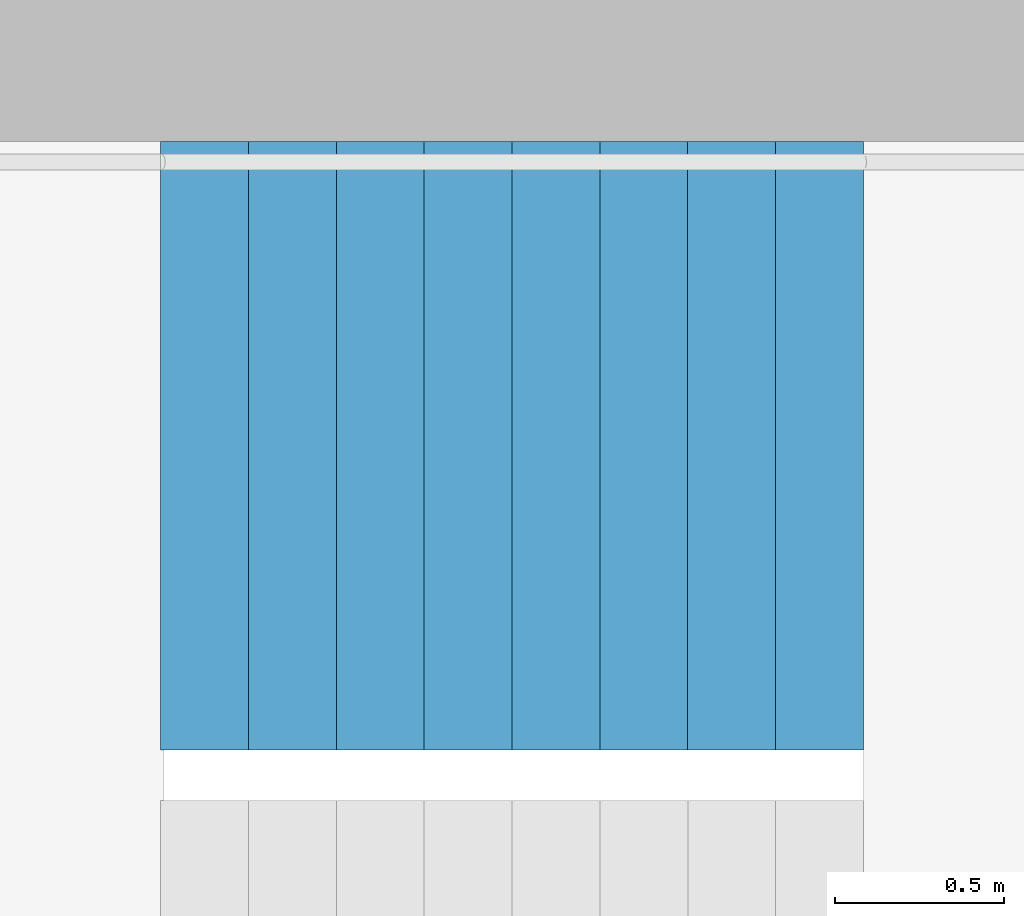
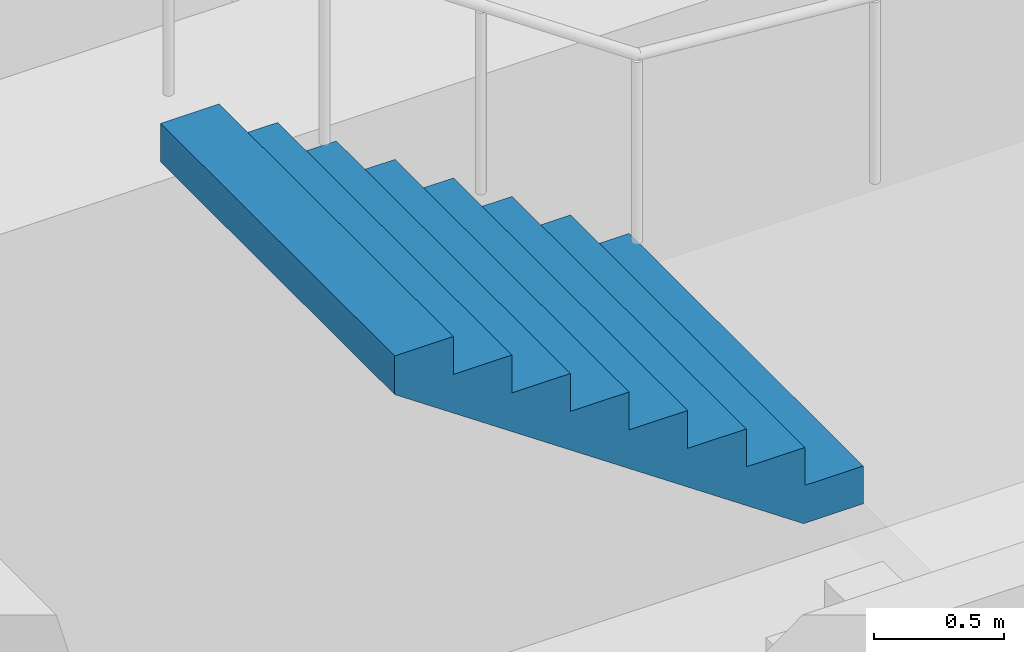
# One storey, part 20 of 29: 1 stair flight, 1 element without a shape of its own.
"""IFC4 building model written with IfcOpenShell, lengths in metres."""

from ifc_helpers import new_model, si_unit, direction, frame, origin, place, context, subcontext, project, spatial, triangles, material, type_object, element, aggregate, save


model = new_model("IFC4")

# Units and contexts
model_context = context("Model", 3, precision=1e-05, world=origin(), true_north=direction((0.0, 1.0)))
body_context = subcontext(model_context, "Body", "Model", "MODEL_VIEW")
ifc_project = project(units=[si_unit("LENGTHUNIT", "METRE"), si_unit("AREAUNIT", "SQUARE_METRE"), si_unit("VOLUMEUNIT", "CUBIC_METRE"), si_unit("PLANEANGLEUNIT", "RADIAN"), si_unit("MASSUNIT", "GRAM", prefix="KILO")], contexts=[model_context])

# Site, building, storey
site_placement = place(None, origin())
site = spatial("IfcSite", under=ifc_project, at=site_placement, CompositionType="ELEMENT")
building_placement = place(site_placement, origin())
building = spatial("IfcBuilding", under=site, at=building_placement, Name="Hakoniwa Tower and Hamabe Station Hall", CompositionType="ELEMENT")
storey_placement = place(building_placement, frame((0.0, 0.0, 205.800048828125)))
storey = spatial("IfcBuildingStorey", under=building, at=storey_placement, Name="L58", CompositionType="ELEMENT", Elevation=205.800048828125)

# Stair, stair flight
ifc_material_1 = material(Name="Concrete C40", Category="concrete")
stair_type = type_object("IfcStairType", Name="ESCAPE STAIR 1800", PredefinedType="HALF_TURN_STAIR", material=ifc_material_1)
stair_placement = place(storey_placement, origin())
stair = element("IfcStair", 1, at=stair_placement, inside=storey, type_object=stair_type, Name="Escape stair ST-1 L58", PredefinedType="HALF_TURN_STAIR")
ifc_material_2 = material(Name="Concrete C40", Category="concrete")
stair_flight_type = type_object("IfcStairFlightType", Name="STAIR FLIGHT 1800", PredefinedType="STRAIGHT", material=ifc_material_2)
stair_flight_placement = place(storey_placement, frame((-22.320068359375, 6.60009765625, 1.599853515625), z_axis=(0.0, 0.0, 1.0), x_axis=(-1.0, 0.0, 0.0)))
stair_flight = element("IfcStairFlight", 2, at=stair_flight_placement, type_object=stair_flight_type, Name="ST-1 flight 2", NumberOfRisers=9, NumberOfTreads=8, PredefinedType="STRAIGHT", RiserHeight=0.177777778, TreadLength=0.26, context=body_context, shape_type="Tessellation", body=[
    triangles([(0.0, 0.89990234375, 0.0), (0.260009765625, 0.89990234375, 0.0), (0.265625, 0.89990234375, 0.0), (0.52001953125, 0.89990234375, 0.174072265625), (0.780029296875, 0.89990234375, 0.351806640625), (1.0400390625, 0.89990234375, 0.529541015625), (1.300048828125, 0.89990234375, 0.707275390625), (1.56005859375, 0.89990234375, 0.885009765625), (1.820068359375, 0.89990234375, 1.062744140625), (2.080078125, 0.89990234375, 1.24072265625), (2.080078125, 0.89990234375, 1.422119140625), (1.820068359375, 0.89990234375, 1.422119140625), (1.820068359375, 0.89990234375, 1.244384765625), (1.56005859375, 0.89990234375, 1.244384765625), (1.56005859375, 0.89990234375, 1.066650390625), (1.300048828125, 0.89990234375, 1.066650390625), (1.300048828125, 0.89990234375, 0.888916015625), (1.0400390625, 0.89990234375, 0.888916015625), (1.0400390625, 0.89990234375, 0.711181640625), (0.780029296875, 0.89990234375, 0.711181640625), (0.780029296875, 0.89990234375, 0.533447265625), (0.52001953125, 0.89990234375, 0.533447265625), (0.52001953125, 0.89990234375, 0.35546875), (0.265625, 0.89990234375, 0.35546875), (0.260009765625, 0.89990234375, 0.35546875), (0.260009765625, 0.89990234375, 0.177734375), (0.0, 0.89990234375, 0.177734375), (0.0, 0.06005859375, 0.0), (0.260009765625, 0.06005859375, 0.0), (0.265625, 0.06005859375, 0.0), (0.52001953125, 0.06005859375, 0.174072265625), (0.780029296875, 0.06005859375, 0.351806640625), (1.0400390625, 0.06005859375, 0.529541015625), (1.300048828125, 0.06005859375, 0.707275390625), (1.56005859375, 0.06005859375, 0.885009765625), (1.820068359375, 0.06005859375, 1.062744140625), (2.080078125, 0.06005859375, 1.24072265625), (2.080078125, 0.06005859375, 1.422119140625), (1.820068359375, 0.06005859375, 1.422119140625), (1.820068359375, 0.06005859375, 1.244384765625), (1.56005859375, 0.06005859375, 1.244384765625), (1.56005859375, 0.06005859375, 1.066650390625), (1.300048828125, 0.06005859375, 1.066650390625), (1.300048828125, 0.06005859375, 0.888916015625), (1.0400390625, 0.06005859375, 0.888916015625), (1.0400390625, 0.06005859375, 0.711181640625), (0.780029296875, 0.06005859375, 0.711181640625), (0.780029296875, 0.06005859375, 0.533447265625), (0.52001953125, 0.06005859375, 0.533447265625), (0.52001953125, 0.06005859375, 0.35546875), (0.265625, 0.06005859375, 0.35546875), (0.260009765625, 0.06005859375, 0.35546875), (0.260009765625, 0.06005859375, 0.177734375), (0.0, 0.06005859375, 0.177734375), (0.0, 0.04296875, 0.0), (0.260009765625, 0.04296875, 0.0), (0.265625, 0.04296875, 0.0), (0.52001953125, 0.04296875, 0.174072265625), (0.780029296875, 0.04296875, 0.351806640625), (1.0400390625, 0.04296875, 0.529541015625), (1.300048828125, 0.04296875, 0.707275390625), (1.56005859375, 0.04296875, 0.885009765625), (1.820068359375, 0.04296875, 1.062744140625), (2.080078125, 0.04296875, 1.24072265625), (2.080078125, 0.04296875, 1.422119140625), (1.820068359375, 0.04296875, 1.422119140625), (1.820068359375, 0.04296875, 1.244384765625), (1.56005859375, 0.04296875, 1.244384765625), (1.56005859375, 0.04296875, 1.066650390625), (1.300048828125, 0.04296875, 1.066650390625), (1.300048828125, 0.04296875, 0.888916015625), (1.0400390625, 0.04296875, 0.888916015625), (1.0400390625, 0.04296875, 0.711181640625), (0.780029296875, 0.04296875, 0.711181640625), (0.780029296875, 0.04296875, 0.533447265625), (0.52001953125, 0.04296875, 0.533447265625), (0.52001953125, 0.04296875, 0.35546875), (0.265625, 0.04296875, 0.35546875), (0.260009765625, 0.04296875, 0.35546875), (0.260009765625, 0.04296875, 0.177734375), (0.0, 0.04296875, 0.177734375), (0.0, 0.025634765625, 0.0), (0.260009765625, 0.025634765625, 0.0), (0.265625, 0.025634765625, 0.0), (0.52001953125, 0.025634765625, 0.174072265625), (0.780029296875, 0.025634765625, 0.351806640625), (1.0400390625, 0.025634765625, 0.529541015625), (1.300048828125, 0.025634765625, 0.707275390625), (1.56005859375, 0.025634765625, 0.885009765625), (1.820068359375, 0.025634765625, 1.062744140625), (2.080078125, 0.025634765625, 1.24072265625), (2.080078125, 0.025634765625, 1.422119140625), (1.820068359375, 0.025634765625, 1.422119140625), (1.820068359375, 0.025634765625, 1.244384765625), (1.56005859375, 0.025634765625, 1.244384765625), (1.56005859375, 0.025634765625, 1.066650390625), (1.300048828125, 0.025634765625, 1.066650390625), (1.300048828125, 0.025634765625, 0.888916015625), (1.0400390625, 0.025634765625, 0.888916015625), (1.0400390625, 0.025634765625, 0.711181640625), (0.780029296875, 0.025634765625, 0.711181640625), (0.780029296875, 0.025634765625, 0.533447265625), (0.52001953125, 0.025634765625, 0.533447265625), (0.52001953125, 0.025634765625, 0.35546875), (0.265625, 0.025634765625, 0.35546875), (0.260009765625, 0.025634765625, 0.35546875), (0.260009765625, 0.025634765625, 0.177734375), (0.0, 0.025634765625, 0.177734375), (0.0, 0.008544921875, 0.0), (0.260009765625, 0.008544921875, 0.0), (0.265625, 0.008544921875, 0.0), (0.52001953125, 0.008544921875, 0.174072265625), (0.780029296875, 0.008544921875, 0.351806640625), (1.0400390625, 0.008544921875, 0.529541015625), (1.300048828125, 0.008544921875, 0.707275390625), (1.56005859375, 0.008544921875, 0.885009765625), (1.820068359375, 0.008544921875, 1.062744140625), (2.080078125, 0.008544921875, 1.24072265625), (2.080078125, 0.008544921875, 1.422119140625), (1.820068359375, 0.008544921875, 1.422119140625), (1.820068359375, 0.008544921875, 1.244384765625), (1.56005859375, 0.008544921875, 1.244384765625), (1.56005859375, 0.008544921875, 1.066650390625), (1.300048828125, 0.008544921875, 1.066650390625), (1.300048828125, 0.008544921875, 0.888916015625), (1.0400390625, 0.008544921875, 0.888916015625), (1.0400390625, 0.008544921875, 0.711181640625), (0.780029296875, 0.008544921875, 0.711181640625), (0.780029296875, 0.008544921875, 0.533447265625), (0.52001953125, 0.008544921875, 0.533447265625), (0.52001953125, 0.008544921875, 0.35546875), (0.265625, 0.008544921875, 0.35546875), (0.260009765625, 0.008544921875, 0.35546875), (0.260009765625, 0.008544921875, 0.177734375), (0.0, 0.008544921875, 0.177734375), (0.0, -0.008544921875, 0.0), (0.260009765625, -0.008544921875, 0.0), (0.265625, -0.008544921875, 0.0), (0.52001953125, -0.008544921875, 0.174072265625), (0.780029296875, -0.008544921875, 0.351806640625), (1.0400390625, -0.008544921875, 0.529541015625), (1.300048828125, -0.008544921875, 0.707275390625), (1.56005859375, -0.008544921875, 0.885009765625), (1.820068359375, -0.008544921875, 1.062744140625), (2.080078125, -0.008544921875, 1.24072265625), (2.080078125, -0.008544921875, 1.422119140625), (1.820068359375, -0.008544921875, 1.422119140625), (1.820068359375, -0.008544921875, 1.244384765625), (1.56005859375, -0.008544921875, 1.244384765625), (1.56005859375, -0.008544921875, 1.066650390625), (1.300048828125, -0.008544921875, 1.066650390625), (1.300048828125, -0.008544921875, 0.888916015625), (1.0400390625, -0.008544921875, 0.888916015625), (1.0400390625, -0.008544921875, 0.711181640625), (0.780029296875, -0.008544921875, 0.711181640625), (0.780029296875, -0.008544921875, 0.533447265625), (0.52001953125, -0.008544921875, 0.533447265625), (0.52001953125, -0.008544921875, 0.35546875), (0.265625, -0.008544921875, 0.35546875), (0.260009765625, -0.008544921875, 0.35546875), (0.260009765625, -0.008544921875, 0.177734375), (0.0, -0.008544921875, 0.177734375), (0.0, -0.025634765625, 0.0), (0.260009765625, -0.025634765625, 0.0), (0.265625, -0.025634765625, 0.0), (0.52001953125, -0.025634765625, 0.174072265625), (0.780029296875, -0.025634765625, 0.351806640625), (1.0400390625, -0.025634765625, 0.529541015625), (1.300048828125, -0.025634765625, 0.707275390625), (1.56005859375, -0.025634765625, 0.885009765625), (1.820068359375, -0.025634765625, 1.062744140625), (2.080078125, -0.025634765625, 1.24072265625), (2.080078125, -0.025634765625, 1.422119140625), (1.820068359375, -0.025634765625, 1.422119140625), (1.820068359375, -0.025634765625, 1.244384765625), (1.56005859375, -0.025634765625, 1.244384765625), (1.56005859375, -0.025634765625, 1.066650390625), (1.300048828125, -0.025634765625, 1.066650390625), (1.300048828125, -0.025634765625, 0.888916015625), (1.0400390625, -0.025634765625, 0.888916015625), (1.0400390625, -0.025634765625, 0.711181640625), (0.780029296875, -0.025634765625, 0.711181640625), (0.780029296875, -0.025634765625, 0.533447265625), (0.52001953125, -0.025634765625, 0.533447265625), (0.52001953125, -0.025634765625, 0.35546875), (0.265625, -0.025634765625, 0.35546875), (0.260009765625, -0.025634765625, 0.35546875), (0.260009765625, -0.025634765625, 0.177734375), (0.0, -0.025634765625, 0.177734375), (0.0, -0.04296875, 0.0), (0.260009765625, -0.04296875, 0.0), (0.265625, -0.04296875, 0.0), (0.52001953125, -0.04296875, 0.174072265625), (0.780029296875, -0.04296875, 0.351806640625), (1.0400390625, -0.04296875, 0.529541015625), (1.300048828125, -0.04296875, 0.707275390625), (1.56005859375, -0.04296875, 0.885009765625), (1.820068359375, -0.04296875, 1.062744140625), (2.080078125, -0.04296875, 1.24072265625), (2.080078125, -0.04296875, 1.422119140625), (1.820068359375, -0.04296875, 1.422119140625), (1.820068359375, -0.04296875, 1.244384765625), (1.56005859375, -0.04296875, 1.244384765625), (1.56005859375, -0.04296875, 1.066650390625), (1.300048828125, -0.04296875, 1.066650390625), (1.300048828125, -0.04296875, 0.888916015625), (1.0400390625, -0.04296875, 0.888916015625), (1.0400390625, -0.04296875, 0.711181640625), (0.780029296875, -0.04296875, 0.711181640625), (0.780029296875, -0.04296875, 0.533447265625), (0.52001953125, -0.04296875, 0.533447265625), (0.52001953125, -0.04296875, 0.35546875), (0.265625, -0.04296875, 0.35546875), (0.260009765625, -0.04296875, 0.35546875), (0.260009765625, -0.04296875, 0.177734375), (0.0, -0.04296875, 0.177734375), (0.0, -0.06005859375, 0.0), (0.260009765625, -0.06005859375, 0.0), (0.265625, -0.06005859375, 0.0), (0.52001953125, -0.06005859375, 0.174072265625), (0.780029296875, -0.06005859375, 0.351806640625), (1.0400390625, -0.06005859375, 0.529541015625), (1.300048828125, -0.06005859375, 0.707275390625), (1.56005859375, -0.06005859375, 0.885009765625), (1.820068359375, -0.06005859375, 1.062744140625), (2.080078125, -0.06005859375, 1.24072265625), (2.080078125, -0.06005859375, 1.422119140625), (1.820068359375, -0.06005859375, 1.422119140625), (1.820068359375, -0.06005859375, 1.244384765625), (1.56005859375, -0.06005859375, 1.244384765625), (1.56005859375, -0.06005859375, 1.066650390625), (1.300048828125, -0.06005859375, 1.066650390625), (1.300048828125, -0.06005859375, 0.888916015625), (1.0400390625, -0.06005859375, 0.888916015625), (1.0400390625, -0.06005859375, 0.711181640625), (0.780029296875, -0.06005859375, 0.711181640625), (0.780029296875, -0.06005859375, 0.533447265625), (0.52001953125, -0.06005859375, 0.533447265625), (0.52001953125, -0.06005859375, 0.35546875), (0.265625, -0.06005859375, 0.35546875), (0.260009765625, -0.06005859375, 0.35546875), (0.260009765625, -0.06005859375, 0.177734375), (0.0, -0.06005859375, 0.177734375), (0.0, -0.89990234375, 0.0), (0.260009765625, -0.89990234375, 0.0), (0.265625, -0.89990234375, 0.0), (0.52001953125, -0.89990234375, 0.174072265625), (0.780029296875, -0.89990234375, 0.351806640625), (1.0400390625, -0.89990234375, 0.529541015625), (1.300048828125, -0.89990234375, 0.707275390625), (1.56005859375, -0.89990234375, 0.885009765625), (1.820068359375, -0.89990234375, 1.062744140625), (2.080078125, -0.89990234375, 1.24072265625), (2.080078125, -0.89990234375, 1.422119140625), (1.820068359375, -0.89990234375, 1.422119140625), (1.820068359375, -0.89990234375, 1.244384765625), (1.56005859375, -0.89990234375, 1.244384765625), (1.56005859375, -0.89990234375, 1.066650390625), (1.300048828125, -0.89990234375, 1.066650390625), (1.300048828125, -0.89990234375, 0.888916015625), (1.0400390625, -0.89990234375, 0.888916015625), (1.0400390625, -0.89990234375, 0.711181640625), (0.780029296875, -0.89990234375, 0.711181640625), (0.780029296875, -0.89990234375, 0.533447265625), (0.52001953125, -0.89990234375, 0.533447265625), (0.52001953125, -0.89990234375, 0.35546875), (0.265625, -0.89990234375, 0.35546875), (0.260009765625, -0.89990234375, 0.35546875), (0.260009765625, -0.89990234375, 0.177734375), (0.0, -0.89990234375, 0.177734375)], [[2, 27, 26], [245, 269, 270], [2, 1, 27], [245, 270, 244], [3, 25, 24], [246, 267, 268], [3, 26, 25], [246, 268, 269], [3, 2, 26], [246, 269, 245], [4, 24, 23], [247, 266, 267], [4, 3, 24], [247, 267, 246], [5, 22, 21], [248, 264, 265], [5, 23, 22], [248, 265, 266], [5, 4, 23], [248, 266, 247], [6, 20, 19], [249, 262, 263], [6, 21, 20], [249, 263, 264], [6, 5, 21], [249, 264, 248], [7, 18, 17], [250, 260, 261], [7, 19, 18], [250, 261, 262], [7, 6, 19], [250, 262, 249], [8, 16, 15], [251, 258, 259], [8, 17, 16], [251, 259, 260], [8, 7, 17], [251, 260, 250], [9, 14, 13], [252, 256, 257], [9, 15, 14], [252, 257, 258], [9, 8, 15], [252, 258, 251], [10, 12, 11], [253, 254, 255], [10, 13, 12], [253, 255, 256], [10, 9, 13], [253, 256, 252], [1, 2, 29], [1, 29, 28], [28, 29, 56], [28, 56, 55], [55, 56, 83], [55, 83, 82], [82, 83, 110], [82, 110, 109], [109, 110, 137], [109, 137, 136], [136, 137, 164], [136, 164, 163], [163, 164, 191], [163, 191, 190], [190, 191, 218], [190, 218, 217], [217, 218, 245], [217, 245, 244], [2, 3, 30], [2, 30, 29], [29, 30, 57], [29, 57, 56], [56, 57, 84], [56, 84, 83], [83, 84, 111], [83, 111, 110], [110, 111, 138], [110, 138, 137], [137, 138, 165], [137, 165, 164], [164, 165, 192], [164, 192, 191], [191, 192, 219], [191, 219, 218], [218, 219, 246], [218, 246, 245], [3, 4, 31], [3, 31, 30], [30, 31, 58], [30, 58, 57], [57, 58, 85], [57, 85, 84], [84, 85, 112], [84, 112, 111], [111, 112, 139], [111, 139, 138], [138, 139, 166], [138, 166, 165], [165, 166, 193], [165, 193, 192], [192, 193, 220], [192, 220, 219], [219, 220, 247], [219, 247, 246], [4, 5, 32], [4, 32, 31], [31, 32, 59], [31, 59, 58], [58, 59, 86], [58, 86, 85], [85, 86, 113], [85, 113, 112], [112, 113, 140], [112, 140, 139], [139, 140, 167], [139, 167, 166], [166, 167, 194], [166, 194, 193], [193, 194, 221], [193, 221, 220], [220, 221, 248], [220, 248, 247], [5, 6, 33], [5, 33, 32], [32, 33, 60], [32, 60, 59], [59, 60, 87], [59, 87, 86], [86, 87, 114], [86, 114, 113], [113, 114, 141], [113, 141, 140], [140, 141, 168], [140, 168, 167], [167, 168, 195], [167, 195, 194], [194, 195, 222], [194, 222, 221], [221, 222, 249], [221, 249, 248], [6, 7, 34], [6, 34, 33], [33, 34, 61], [33, 61, 60], [60, 61, 88], [60, 88, 87], [87, 88, 115], [87, 115, 114], [114, 115, 142], [114, 142, 141], [141, 142, 169], [141, 169, 168], [168, 169, 196], [168, 196, 195], [195, 196, 223], [195, 223, 222], [222, 223, 250], [222, 250, 249], [7, 8, 35], [7, 35, 34], [34, 35, 62], [34, 62, 61], [61, 62, 89], [61, 89, 88], [88, 89, 116], [88, 116, 115], [115, 116, 143], [115, 143, 142], [142, 143, 170], [142, 170, 169], [169, 170, 197], [169, 197, 196], [196, 197, 224], [196, 224, 223], [223, 224, 251], [223, 251, 250], [8, 9, 36], [8, 36, 35], [35, 36, 63], [35, 63, 62], [62, 63, 90], [62, 90, 89], [89, 90, 117], [89, 117, 116], [116, 117, 144], [116, 144, 143], [143, 144, 171], [143, 171, 170], [170, 171, 198], [170, 198, 197], [197, 198, 225], [197, 225, 224], [224, 225, 252], [224, 252, 251], [9, 10, 37], [9, 37, 36], [36, 37, 64], [36, 64, 63], [63, 64, 91], [63, 91, 90], [90, 91, 118], [90, 118, 117], [117, 118, 145], [117, 145, 144], [144, 145, 172], [144, 172, 171], [171, 172, 199], [171, 199, 198], [198, 199, 226], [198, 226, 225], [225, 226, 253], [225, 253, 252], [10, 11, 38], [10, 38, 37], [37, 38, 65], [37, 65, 64], [64, 65, 92], [64, 92, 91], [91, 92, 119], [91, 119, 118], [118, 119, 146], [118, 146, 145], [145, 146, 173], [145, 173, 172], [172, 173, 200], [172, 200, 199], [199, 200, 227], [199, 227, 226], [226, 227, 254], [226, 254, 253], [11, 12, 39], [11, 39, 38], [38, 39, 66], [38, 66, 65], [65, 66, 93], [65, 93, 92], [92, 93, 120], [92, 120, 119], [119, 120, 147], [119, 147, 146], [146, 147, 174], [146, 174, 173], [173, 174, 201], [173, 201, 200], [200, 201, 228], [200, 228, 227], [227, 228, 255], [227, 255, 254], [12, 13, 40], [12, 40, 39], [39, 40, 67], [39, 67, 66], [66, 67, 94], [66, 94, 93], [93, 94, 121], [93, 121, 120], [120, 121, 148], [120, 148, 147], [147, 148, 175], [147, 175, 174], [174, 175, 202], [174, 202, 201], [201, 202, 229], [201, 229, 228], [228, 229, 256], [228, 256, 255], [13, 14, 41], [13, 41, 40], [40, 41, 68], [40, 68, 67], [67, 68, 95], [67, 95, 94], [94, 95, 122], [94, 122, 121], [121, 122, 149], [121, 149, 148], [148, 149, 176], [148, 176, 175], [175, 176, 203], [175, 203, 202], [202, 203, 230], [202, 230, 229], [229, 230, 257], [229, 257, 256], [14, 15, 42], [14, 42, 41], [41, 42, 69], [41, 69, 68], [68, 69, 96], [68, 96, 95], [95, 96, 123], [95, 123, 122], [122, 123, 150], [122, 150, 149], [149, 150, 177], [149, 177, 176], [176, 177, 204], [176, 204, 203], [203, 204, 231], [203, 231, 230], [230, 231, 258], [230, 258, 257], [15, 16, 43], [15, 43, 42], [42, 43, 70], [42, 70, 69], [69, 70, 97], [69, 97, 96], [96, 97, 124], [96, 124, 123], [123, 124, 151], [123, 151, 150], [150, 151, 178], [150, 178, 177], [177, 178, 205], [177, 205, 204], [204, 205, 232], [204, 232, 231], [231, 232, 259], [231, 259, 258], [16, 17, 44], [16, 44, 43], [43, 44, 71], [43, 71, 70], [70, 71, 98], [70, 98, 97], [97, 98, 125], [97, 125, 124], [124, 125, 152], [124, 152, 151], [151, 152, 179], [151, 179, 178], [178, 179, 206], [178, 206, 205], [205, 206, 233], [205, 233, 232], [232, 233, 260], [232, 260, 259], [17, 18, 45], [17, 45, 44], [44, 45, 72], [44, 72, 71], [71, 72, 99], [71, 99, 98], [98, 99, 126], [98, 126, 125], [125, 126, 153], [125, 153, 152], [152, 153, 180], [152, 180, 179], [179, 180, 207], [179, 207, 206], [206, 207, 234], [206, 234, 233], [233, 234, 261], [233, 261, 260], [18, 19, 46], [18, 46, 45], [45, 46, 73], [45, 73, 72], [72, 73, 100], [72, 100, 99], [99, 100, 127], [99, 127, 126], [126, 127, 154], [126, 154, 153], [153, 154, 181], [153, 181, 180], [180, 181, 208], [180, 208, 207], [207, 208, 235], [207, 235, 234], [234, 235, 262], [234, 262, 261], [19, 20, 47], [19, 47, 46], [46, 47, 74], [46, 74, 73], [73, 74, 101], [73, 101, 100], [100, 101, 128], [100, 128, 127], [127, 128, 155], [127, 155, 154], [154, 155, 182], [154, 182, 181], [181, 182, 209], [181, 209, 208], [208, 209, 236], [208, 236, 235], [235, 236, 263], [235, 263, 262], [20, 21, 48], [20, 48, 47], [47, 48, 75], [47, 75, 74], [74, 75, 102], [74, 102, 101], [101, 102, 129], [101, 129, 128], [128, 129, 156], [128, 156, 155], [155, 156, 183], [155, 183, 182], [182, 183, 210], [182, 210, 209], [209, 210, 237], [209, 237, 236], [236, 237, 264], [236, 264, 263], [21, 22, 49], [21, 49, 48], [48, 49, 76], [48, 76, 75], [75, 76, 103], [75, 103, 102], [102, 103, 130], [102, 130, 129], [129, 130, 157], [129, 157, 156], [156, 157, 184], [156, 184, 183], [183, 184, 211], [183, 211, 210], [210, 211, 238], [210, 238, 237], [237, 238, 265], [237, 265, 264], [22, 23, 50], [22, 50, 49], [49, 50, 77], [49, 77, 76], [76, 77, 104], [76, 104, 103], [103, 104, 131], [103, 131, 130], [130, 131, 158], [130, 158, 157], [157, 158, 185], [157, 185, 184], [184, 185, 212], [184, 212, 211], [211, 212, 239], [211, 239, 238], [238, 239, 266], [238, 266, 265], [23, 24, 51], [23, 51, 50], [50, 51, 78], [50, 78, 77], [77, 78, 105], [77, 105, 104], [104, 105, 132], [104, 132, 131], [131, 132, 159], [131, 159, 158], [158, 159, 186], [158, 186, 185], [185, 186, 213], [185, 213, 212], [212, 213, 240], [212, 240, 239], [239, 240, 267], [239, 267, 266], [24, 25, 52], [24, 52, 51], [51, 52, 79], [51, 79, 78], [78, 79, 106], [78, 106, 105], [105, 106, 133], [105, 133, 132], [132, 133, 160], [132, 160, 159], [159, 160, 187], [159, 187, 186], [186, 187, 214], [186, 214, 213], [213, 214, 241], [213, 241, 240], [240, 241, 268], [240, 268, 267], [25, 26, 53], [25, 53, 52], [52, 53, 80], [52, 80, 79], [79, 80, 107], [79, 107, 106], [106, 107, 134], [106, 134, 133], [133, 134, 161], [133, 161, 160], [160, 161, 188], [160, 188, 187], [187, 188, 215], [187, 215, 214], [214, 215, 242], [214, 242, 241], [241, 242, 269], [241, 269, 268], [26, 27, 54], [26, 54, 53], [53, 54, 81], [53, 81, 80], [80, 81, 108], [80, 108, 107], [107, 108, 135], [107, 135, 134], [134, 135, 162], [134, 162, 161], [161, 162, 189], [161, 189, 188], [188, 189, 216], [188, 216, 215], [215, 216, 243], [215, 243, 242], [242, 243, 270], [242, 270, 269], [27, 1, 28], [27, 28, 54], [54, 28, 55], [54, 55, 81], [81, 55, 82], [81, 82, 108], [108, 82, 109], [108, 109, 135], [135, 109, 136], [135, 136, 162], [162, 136, 163], [162, 163, 189], [189, 163, 190], [189, 190, 216], [216, 190, 217], [216, 217, 243], [243, 217, 244], [243, 244, 270]], closed=True),
])
aggregate(stair, [stair_flight])

save(model, "model.ifc")
